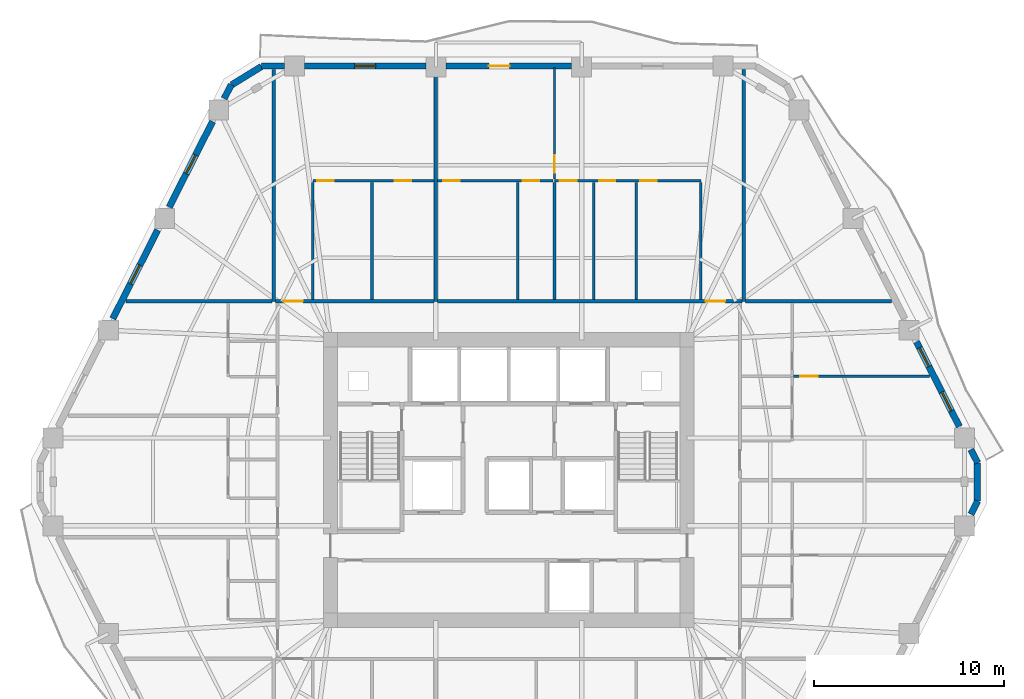
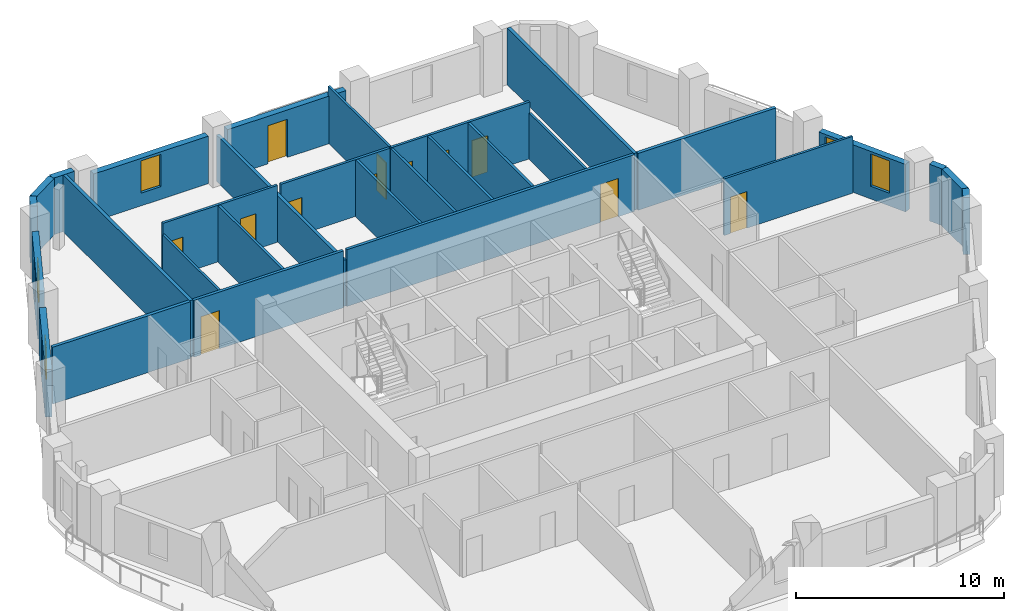
# One storey, part 7 of 11: 30 walls, 12 doors, 5 windows, 17 openings.
"""IFC4 building model written with IfcOpenShell, lengths in metres."""

from ifc_helpers import new_model, si_unit, direction, frame, frame_2d, origin, place, context, subcontext, project, spatial, rectangle, extrude, material, layer, layer_set, type_object, element, fill, save


model = new_model("IFC4")

# Units and contexts
model_context = context("Model", 3, precision=1e-05, world=origin(), true_north=direction((0.0, 1.0)))
body_context = subcontext(model_context, "Body", "Model", "MODEL_VIEW")
ifc_project = project(units=[si_unit("LENGTHUNIT", "METRE"), si_unit("AREAUNIT", "SQUARE_METRE"), si_unit("VOLUMEUNIT", "CUBIC_METRE"), si_unit("PLANEANGLEUNIT", "RADIAN"), si_unit("MASSUNIT", "GRAM", prefix="KILO")], contexts=[model_context])

# Site, building, storey
site_placement = place(None, origin())
site = spatial("IfcSite", under=ifc_project, at=site_placement, CompositionType="ELEMENT")
building_placement = place(site_placement, origin())
building = spatial("IfcBuilding", under=site, at=building_placement, Name="Cinnabar Lancet Tower", CompositionType="ELEMENT")
storey_placement = place(building_placement, frame((0.0, 0.0, 133.89990234375)))
storey = spatial("IfcBuildingStorey", under=building, at=storey_placement, Name="L35", CompositionType="ELEMENT", Elevation=133.89990234375)

# Wall, opening, door
ifc_material_1 = material(Name="Acoustic twin-stud gypsum partition", Category="gypsum")
ifc_layer_1 = layer(ifc_material_1, 0.159912109375)
ifc_layer_set_1 = layer_set([ifc_layer_1], Name="Acoustic twin-stud gypsum partition")
wall_type_1 = type_object("IfcWallType", Name="ARC-WL-CORR-160", PredefinedType="PARTITIONING", material=ifc_layer_set_1)
wall_1_placement = place(storey_placement, frame((20.14501953125, 35.300048828125, 0.0), z_axis=(0.0, 0.0, 1.0), x_axis=(1.0, 0.0, 0.0)))
wall_1 = element("IfcWall", 1, at=wall_1_placement, inside=storey, type_object=wall_type_1, Name="L35 Unit N01 Corridor Wall", PredefinedType="PARTITIONING", context=body_context, shape_type="SweptSolid", body=[
    extrude(rectangle(XDim=8.327880859375, YDim=0.159912109375, at=frame_2d((4.1640625, 0.0))), origin(), (0.0, 0.0, 1.0), 3.340087890625),
])
opening_1_placement = place(wall_1_placement, frame((0.405029296875, 0.0, 0.0)))
opening_1 = element("IfcOpeningElement", 2, at=opening_1_placement, cuts=wall_1, Name="Opening UD-01", PredefinedType="OPENING", context=body_context, shape_type="SweptSolid", body=[
    extrude(rectangle(XDim=1.02001953125, YDim=2.25, at=frame_2d((0.510009765625, 1.125))), frame((0.0, 0.08984375, 0.0), z_axis=(0.0, -1.0, 0.0), x_axis=(1.0, 0.0, 0.0)), (0.0, 0.0, 1.0), 0.179931640625),
])
ifc_material_2 = material(Name="Solid timber fire-rated apartment entrance door", Category="wood")
door_type_1 = type_object("IfcDoorType", Name="ARC-DR-UNIT", OperationType="NOTDEFINED", PredefinedType="DOOR", material=ifc_material_2)
door_1_placement = place(opening_1_placement, origin())
door_1 = element("IfcDoor", 3, at=door_1_placement, inside=storey, type_object=door_type_1, Name="DR-L35-N01-ENT", OperationType="SINGLE_SWING_RIGHT", OverallHeight=2.25, OverallWidth=1.02001953125, PredefinedType="DOOR", context=body_context, shape_type="SweptSolid", body=[
    extrude(rectangle(XDim=1.02001953125, YDim=2.25, at=frame_2d((0.510009765625, 1.125))), frame((0.0, 0.02490234375, 0.0), z_axis=(0.0, -1.0, 0.0), x_axis=(1.0, 0.0, 0.0)), (0.0, 0.0, 1.0), 0.050048828125),
])
fill(opening_1, door_1)

wall_2_placement = place(storey_placement, frame((28.6630859375, 35.300048828125, 0.0), z_axis=(0.0, 0.0, 1.0), x_axis=(1.0, 0.0, 0.0)))
wall_2 = element("IfcWall", 4, at=wall_2_placement, inside=storey, type_object=wall_type_1, Name="L35 Unit N02 Corridor Wall", PredefinedType="PARTITIONING", context=body_context, shape_type="SweptSolid", body=[
    extrude(rectangle(XDim=15.991943359375, YDim=0.159912109375, at=frame_2d((7.99609375, 0.0))), origin(), (0.0, 0.0, 1.0), 3.340087890625),
])
opening_2_placement = place(wall_2_placement, frame((14.0869140625, 0.0, 0.0)))
opening_2 = element("IfcOpeningElement", 5, at=opening_2_placement, cuts=wall_2, Name="Opening UD-01", PredefinedType="OPENING", context=body_context, shape_type="SweptSolid", body=[
    extrude(rectangle(XDim=1.02001953125, YDim=2.25, at=frame_2d((0.510009765625, 1.125))), frame((0.0, 0.08984375, 0.0), z_axis=(0.0, -1.0, 0.0), x_axis=(1.0, 0.0, 0.0)), (0.0, 0.0, 1.0), 0.179931640625),
])
door_2_placement = place(opening_2_placement, origin())
door_2 = element("IfcDoor", 6, at=door_2_placement, inside=storey, type_object=door_type_1, Name="DR-L35-N02-ENT", OperationType="SINGLE_SWING_LEFT", OverallHeight=2.25, OverallWidth=1.02001953125, PredefinedType="DOOR", context=body_context, shape_type="SweptSolid", body=[
    extrude(rectangle(XDim=1.02001953125, YDim=2.25, at=frame_2d((0.510009765625, 1.125))), frame((0.0, 0.02490234375, 0.0), z_axis=(0.0, -1.0, 0.0), x_axis=(1.0, 0.0, 0.0)), (0.0, 0.0, 1.0), 0.050048828125),
])
fill(opening_2, door_2)

# Walls
ifc_material_3 = material(Name="Fire-rated twin-frame acoustic drywall", Category="gypsum")
ifc_layer_2 = layer(ifc_material_3, 0.179931640625)
ifc_layer_set_2 = layer_set([ifc_layer_2], Name="Fire-rated twin-frame acoustic drywall")
wall_type_2 = type_object("IfcWallType", Name="ARC-WL-PARTY-180", PredefinedType="PARTITIONING", material=ifc_layer_set_2)
wall_3_placement = place(storey_placement, frame((20.050048828125, 35.300048828125, 0.0), z_axis=(0.0, 0.0, 1.0), x_axis=(0.0, 1.0, 0.0)))
element("IfcWall", 7, at=wall_3_placement, inside=storey, type_object=wall_type_2, Name="PW-L35-NPTY-200", PredefinedType="PARTITIONING", context=body_context, shape_type="SweptSolid", body=[
    extrude(rectangle(XDim=12.195068359375, YDim=0.179931640625, at=frame_2d((6.09765625, 0.0))), origin(), (0.0, 0.0, 1.0), 3.340087890625),
])
wall_4_placement = place(storey_placement, frame((28.568115234375, 35.300048828125, 0.0), z_axis=(0.0, 0.0, 1.0), x_axis=(0.0, 1.0, 0.0)))
element("IfcWall", 8, at=wall_4_placement, inside=storey, type_object=wall_type_2, Name="PW-L35-NPTY-286", PredefinedType="PARTITIONING", context=body_context, shape_type="SweptSolid", body=[
    extrude(rectangle(XDim=12.195068359375, YDim=0.179931640625, at=frame_2d((6.09765625, 0.0))), origin(), (0.0, 0.0, 1.0), 2.72216796875),
])
wall_5_placement = place(storey_placement, frame((44.75, 35.300048828125, 0.0), z_axis=(0.0, 0.0, 1.0), x_axis=(0.0, 1.0, 0.0)))
element("IfcWall", 9, at=wall_5_placement, inside=storey, type_object=wall_type_2, Name="PW-L35-NPTY-448", PredefinedType="PARTITIONING", context=body_context, shape_type="SweptSolid", body=[
    extrude(rectangle(XDim=12.195068359375, YDim=0.179931640625, at=frame_2d((6.09765625, 0.0))), origin(), (0.0, 0.0, 1.0), 3.340087890625),
])
wall_6_placement = place(storey_placement, frame((12.285888671875, 35.300048828125, 0.0), z_axis=(0.0, 0.0, 1.0), x_axis=(1.0, 0.0, 0.0)))
element("IfcWall", 10, at=wall_6_placement, inside=storey, type_object=wall_type_2, Name="PW-L35-WNB", PredefinedType="PARTITIONING", context=body_context, shape_type="SweptSolid", body=[
    extrude(rectangle(XDim=7.669189453125, YDim=0.179931640625, at=frame_2d((3.83447265625, 0.0))), origin(), (0.0, 0.0, 1.0), 3.340087890625),
])
wall_7_placement = place(storey_placement, frame((44.844970703125, 35.300048828125, 0.0), z_axis=(0.0, 0.0, 1.0), x_axis=(1.0, 0.0, 0.0)))
element("IfcWall", 11, at=wall_7_placement, inside=storey, type_object=wall_type_2, Name="PW-L35-ENB", PredefinedType="PARTITIONING", context=body_context, shape_type="SweptSolid", body=[
    extrude(rectangle(XDim=7.6689453125, YDim=0.179931640625, at=frame_2d((3.83447265625, 0.0))), origin(), (0.0, 0.0, 1.0), 3.340087890625),
])
ifc_material_4 = material(Name="Gypsum plasterboard stud partition", Category="gypsum")
ifc_layer_3 = layer(ifc_material_4, 0.125)
ifc_layer_set_3 = layer_set([ifc_layer_3], Name="Gypsum plasterboard stud partition")
wall_type_3 = type_object("IfcWallType", Name="ARC-WL-UNIT-125", PredefinedType="PARTITIONING", material=ifc_layer_set_3)
for number, where, z_axis, x_axis, name in (
    (12, (22.10009765625, 35.385009765625, 0.0), (0.0, 0.0, 1.0), (0.0, 1.0, 0.0), "UW-L35-N01-FOYE"),
    (13, (42.5, 35.385009765625, 0.0), (0.0, 0.0, 1.0), (0.0, 1.0, 0.0), "UW-L35-N02-FOYW"),
):
    element("IfcWall", number, at=place(storey_placement, frame(where, z_axis=z_axis, x_axis=x_axis)), inside=storey, type_object=wall_type_3, Name=name, PredefinedType="PARTITIONING", context=body_context, shape_type="SweptSolid", body=[
        extrude(rectangle(XDim=6.15087890625, YDim=0.125, at=frame_2d((3.075439453125, 0.0))), origin(), (0.0, 0.0, 1.0), 2.72216796875),
    ])

# Wall, opening, door
wall_8_placement = place(storey_placement, frame((34.802978515625, 41.716064453125, 0.0), z_axis=(0.0, 0.0, 1.0), x_axis=(0.0, 1.0, 0.0)))
wall_8 = element("IfcWall", 14, at=wall_8_placement, inside=storey, type_object=wall_type_3, Name="UW-L35-N02-MBW", PredefinedType="PARTITIONING", context=body_context, shape_type="SweptSolid", body=[
    extrude(rectangle(XDim=5.868896484375, YDim=0.125, at=frame_2d((2.9345703125, 0.0))), origin(), (0.0, 0.0, 1.0), 3.340087890625),
])
opening_3_placement = place(wall_8_placement, frame((0.35009765625, 0.0, 0.0)))
opening_3 = element("IfcOpeningElement", 15, at=opening_3_placement, cuts=wall_8, Name="Opening RD-01", PredefinedType="OPENING", context=body_context, shape_type="SweptSolid", body=[
    extrude(rectangle(XDim=0.919921875, YDim=2.14990234375, at=frame_2d((0.4599609375, 1.074951171875))), frame((0.0, 0.072509765625, 0.0), z_axis=(0.0, -1.0, 0.0), x_axis=(1.0, 0.0, 0.0)), (0.0, 0.0, 1.0), 0.14501953125),
])
ifc_material_5 = material(Name="Engineered timber bedroom door", Category="wood")
door_type_2 = type_object("IfcDoorType", Name="ARC-DR-ROOM", OperationType="NOTDEFINED", PredefinedType="DOOR", material=ifc_material_5)
door_3_placement = place(opening_3_placement, origin())
door_3 = element("IfcDoor", 16, at=door_3_placement, inside=storey, type_object=door_type_2, Name="DR-L35-N02-MBD", OperationType="SINGLE_SWING_RIGHT", OverallHeight=2.14990234375, OverallWidth=0.919921875, PredefinedType="DOOR", context=body_context, shape_type="SweptSolid", body=[
    extrude(rectangle(XDim=0.919921875, YDim=2.14990234375, at=frame_2d((0.4599609375, 1.074951171875))), frame((0.0, 0.02490234375, 0.0), z_axis=(0.0, -1.0, 0.0), x_axis=(1.0, 0.0, 0.0)), (0.0, 0.0, 1.0), 0.050048828125),
])
fill(opening_3, door_3)

wall_9_placement = place(storey_placement, frame((47.375, 31.35205078125, 0.0), z_axis=(0.0, 0.0, 1.0), x_axis=(1.0, 0.0, 0.0)))
wall_9 = element("IfcWall", 17, at=wall_9_placement, inside=storey, type_object=wall_type_3, Name="UW-L35-E02-MBN", PredefinedType="PARTITIONING", context=body_context, shape_type="SweptSolid", body=[
    extrude(rectangle(XDim=7.152099609375, YDim=0.125, at=frame_2d((3.576171875, 0.0))), origin(), (0.0, 0.0, 1.0), 3.340087890625),
])
opening_4_placement = place(wall_9_placement, frame((0.35009765625, 0.0, 0.0)))
opening_4 = element("IfcOpeningElement", 18, at=opening_4_placement, cuts=wall_9, Name="Opening RD-01", PredefinedType="OPENING", context=body_context, shape_type="SweptSolid", body=[
    extrude(rectangle(XDim=0.919921875, YDim=2.14990234375, at=frame_2d((0.4599609375, 1.074951171875))), frame((0.0, 0.072509765625, 0.0), z_axis=(0.0, -1.0, 0.0), x_axis=(1.0, 0.0, 0.0)), (0.0, 0.0, 1.0), 0.14501953125),
])
door_4_placement = place(opening_4_placement, origin())
door_4 = element("IfcDoor", 19, at=door_4_placement, inside=storey, type_object=door_type_2, Name="DR-L35-E02-MBD", OperationType="SINGLE_SWING_LEFT", OverallHeight=2.14990234375, OverallWidth=0.919921875, PredefinedType="DOOR", context=body_context, shape_type="SweptSolid", body=[
    extrude(rectangle(XDim=0.919921875, YDim=2.14990234375, at=frame_2d((0.4599609375, 1.074951171875))), frame((0.0, 0.02490234375, 0.0), z_axis=(0.0, -1.0, 0.0), x_axis=(1.0, 0.0, 0.0)), (0.0, 0.0, 1.0), 0.050048828125),
])
fill(opening_4, door_4)

# Wall, openings, doors
ifc_material_6 = material(Name="Moisture-resistant cement-board plumbing wall", Category="masonry")
ifc_layer_4 = layer(ifc_material_6, 0.139892578125)
ifc_layer_set_4 = layer_set([ifc_layer_4], Name="Moisture-resistant cement-board plumbing wall")
wall_type_4 = type_object("IfcWallType", Name="ARC-WL-WET-140", PredefinedType="PLUMBINGWALL", material=ifc_layer_set_4)
wall_10_placement = place(storey_placement, frame((22.10009765625, 41.64111328125, 0.0), z_axis=(0.0, 0.0, 1.0), x_axis=(1.0, 0.0, 0.0)))
wall_10 = element("IfcWall", 20, at=wall_10_placement, inside=storey, type_object=wall_type_4, Name="UW-L35-N01-SPL", PredefinedType="PLUMBINGWALL", context=body_context, shape_type="SweptSolid", body=[
    extrude(rectangle(XDim=6.372802734375, YDim=0.139892578125, at=frame_2d((3.1865234375, 0.0))), origin(), (0.0, 0.0, 1.0), 3.340087890625),
])
opening_5_placement = place(wall_10_placement, frame((4.31396484375, 0.0, 0.0)))
opening_5 = element("IfcOpeningElement", 21, at=opening_5_placement, cuts=wall_10, Name="Opening BD-01", PredefinedType="OPENING", context=body_context, shape_type="SweptSolid", body=[
    extrude(rectangle(XDim=0.860107421875, YDim=2.10009765625, at=frame_2d((0.43017578125, 1.050048828125))), frame((0.0, 0.079833984375, 0.0), z_axis=(0.0, -1.0, 0.0), x_axis=(1.0, 0.0, 0.0)), (0.0, 0.0, 1.0), 0.159912109375),
])
opening_6_placement = place(wall_10_placement, frame((0.219970703125, 0.0, 0.0)))
opening_6 = element("IfcOpeningElement", 22, at=opening_6_placement, cuts=wall_10, Name="Opening RD-02", PredefinedType="OPENING", context=body_context, shape_type="SweptSolid", body=[
    extrude(rectangle(XDim=0.8798828125, YDim=2.14990234375, at=frame_2d((0.43994140625, 1.074951171875))), frame((0.0, 0.079833984375, 0.0), z_axis=(0.0, -1.0, 0.0), x_axis=(1.0, 0.0, 0.0)), (0.0, 0.0, 1.0), 0.159912109375),
])
ifc_material_7 = material(Name="Moisture-resistant timber bathroom door", Category="wood")
door_type_3 = type_object("IfcDoorType", Name="ARC-DR-BATH", OperationType="NOTDEFINED", PredefinedType="DOOR", material=ifc_material_7)
door_5_placement = place(opening_5_placement, origin())
door_5 = element("IfcDoor", 23, at=door_5_placement, inside=storey, type_object=door_type_3, Name="DR-L35-N01-BTH", OperationType="SINGLE_SWING_RIGHT", OverallHeight=2.10009765625, OverallWidth=0.860107421875, PredefinedType="DOOR", context=body_context, shape_type="SweptSolid", body=[
    extrude(rectangle(XDim=0.860107421875, YDim=2.10009765625, at=frame_2d((0.43017578125, 1.050048828125))), frame((0.0, 0.02490234375, 0.0), z_axis=(0.0, -1.0, 0.0), x_axis=(1.0, 0.0, 0.0)), (0.0, 0.0, 1.0), 0.050048828125),
])
fill(opening_5, door_5)
ifc_material_8 = material(Name="Engineered timber study door", Category="wood")
door_type_4 = type_object("IfcDoorType", Name="ARC-DR-STUDY", OperationType="NOTDEFINED", PredefinedType="DOOR", material=ifc_material_8)
door_6_placement = place(opening_6_placement, origin())
door_6 = element("IfcDoor", 24, at=door_6_placement, inside=storey, type_object=door_type_4, Name="DR-L35-N01-KIT", OperationType="SINGLE_SWING_LEFT", OverallHeight=2.14990234375, OverallWidth=0.8798828125, PredefinedType="DOOR", context=body_context, shape_type="SweptSolid", body=[
    extrude(rectangle(XDim=0.8798828125, YDim=2.14990234375, at=frame_2d((0.43994140625, 1.074951171875))), frame((0.0, 0.02490234375, 0.0), z_axis=(0.0, -1.0, 0.0), x_axis=(1.0, 0.0, 0.0)), (0.0, 0.0, 1.0), 0.050048828125),
])
fill(opening_6, door_6)

# Wall
wall_11_placement = place(storey_placement, frame((25.205078125, 35.385009765625, 0.0), z_axis=(0.0, 0.0, 1.0), x_axis=(0.0, 1.0, 0.0)))
element("IfcWall", 25, at=wall_11_placement, inside=storey, type_object=wall_type_4, Name="UW-L35-N01-KDV", PredefinedType="PLUMBINGWALL", context=body_context, shape_type="SweptSolid", body=[
    extrude(rectangle(XDim=6.15087890625, YDim=0.139892578125, at=frame_2d((3.075439453125, 0.0))), origin(), (0.0, 0.0, 1.0), 3.340087890625),
])

# Wall, openings, doors
wall_12_placement = place(storey_placement, frame((34.802978515625, 41.64111328125, 0.0), z_axis=(0.0, 0.0, 1.0), x_axis=(1.0, 0.0, 0.0)))
wall_12 = element("IfcWall", 26, at=wall_12_placement, inside=storey, type_object=wall_type_4, Name="UW-L35-N02-SPL", PredefinedType="PLUMBINGWALL", context=body_context, shape_type="SweptSolid", body=[
    extrude(rectangle(XDim=7.697021484375, YDim=0.139892578125, at=frame_2d((3.8486328125, 0.0))), origin(), (0.0, 0.0, 1.0), 3.340087890625),
])
opening_7_placement = place(wall_12_placement, frame((0.280029296875, 0.0, 0.0)))
opening_7 = element("IfcOpeningElement", 27, at=opening_7_placement, cuts=wall_12, Name="Opening RD-02", PredefinedType="OPENING", context=body_context, shape_type="SweptSolid", body=[
    extrude(rectangle(XDim=0.8798828125, YDim=2.14990234375, at=frame_2d((0.43994140625, 1.074951171875))), frame((0.0, 0.079833984375, 0.0), z_axis=(0.0, -1.0, 0.0), x_axis=(1.0, 0.0, 0.0)), (0.0, 0.0, 1.0), 0.159912109375),
])
opening_8_placement = place(wall_12_placement, frame((2.343994140625, 0.0, 0.0)))
opening_8 = element("IfcOpeningElement", 28, at=opening_8_placement, cuts=wall_12, Name="Opening BD-01", PredefinedType="OPENING", context=body_context, shape_type="SweptSolid", body=[
    extrude(rectangle(XDim=0.860107421875, YDim=2.10009765625, at=frame_2d((0.43017578125, 1.050048828125))), frame((0.0, 0.079833984375, 0.0), z_axis=(0.0, -1.0, 0.0), x_axis=(1.0, 0.0, 0.0)), (0.0, 0.0, 1.0), 0.159912109375),
])
opening_9_placement = place(wall_12_placement, frame((4.4970703125, 0.0, 0.0)))
opening_9 = element("IfcOpeningElement", 29, at=opening_9_placement, cuts=wall_12, Name="Opening RD-02", PredefinedType="OPENING", context=body_context, shape_type="SweptSolid", body=[
    extrude(rectangle(XDim=0.8798828125, YDim=2.14990234375, at=frame_2d((0.43994140625, 1.074951171875))), frame((0.0, 0.079833984375, 0.0), z_axis=(0.0, -1.0, 0.0), x_axis=(1.0, 0.0, 0.0)), (0.0, 0.0, 1.0), 0.159912109375),
])
door_7_placement = place(opening_8_placement, origin())
door_7 = element("IfcDoor", 30, at=door_7_placement, inside=storey, type_object=door_type_3, Name="DR-L35-N02-BTH", OperationType="SINGLE_SWING_LEFT", OverallHeight=2.10009765625, OverallWidth=0.860107421875, PredefinedType="DOOR", context=body_context, shape_type="SweptSolid", body=[
    extrude(rectangle(XDim=0.860107421875, YDim=2.10009765625, at=frame_2d((0.43017578125, 1.050048828125))), frame((0.0, 0.02490234375, 0.0), z_axis=(0.0, -1.0, 0.0), x_axis=(1.0, 0.0, 0.0)), (0.0, 0.0, 1.0), 0.050048828125),
])
fill(opening_8, door_7)
door_8_placement = place(opening_7_placement, origin())
door_8 = element("IfcDoor", 31, at=door_8_placement, inside=storey, type_object=door_type_4, Name="DR-L35-N02-BTH-WDR", OperationType="SINGLE_SWING_RIGHT", OverallHeight=2.14990234375, OverallWidth=0.8798828125, PredefinedType="DOOR", context=body_context, shape_type="SweptSolid", body=[
    extrude(rectangle(XDim=0.8798828125, YDim=2.14990234375, at=frame_2d((0.43994140625, 1.074951171875))), frame((0.0, 0.02490234375, 0.0), z_axis=(0.0, -1.0, 0.0), x_axis=(1.0, 0.0, 0.0)), (0.0, 0.0, 1.0), 0.050048828125),
])
fill(opening_7, door_8)
door_9_placement = place(opening_9_placement, origin())
door_9 = element("IfcDoor", 32, at=door_9_placement, inside=storey, type_object=door_type_4, Name="DR-L35-N02-KIT", OperationType="SINGLE_SWING_LEFT", OverallHeight=2.14990234375, OverallWidth=0.8798828125, PredefinedType="DOOR", context=body_context, shape_type="SweptSolid", body=[
    extrude(rectangle(XDim=0.8798828125, YDim=2.14990234375, at=frame_2d((0.43994140625, 1.074951171875))), frame((0.0, 0.02490234375, 0.0), z_axis=(0.0, -1.0, 0.0), x_axis=(1.0, 0.0, 0.0)), (0.0, 0.0, 1.0), 0.050048828125),
])
fill(opening_9, door_9)

wall_13_placement = place(storey_placement, frame((28.6630859375, 41.64111328125, 0.0), z_axis=(0.0, 0.0, 1.0), x_axis=(1.0, 0.0, 0.0)))
wall_13 = element("IfcWall", 33, at=wall_13_placement, inside=storey, type_object=wall_type_4, Name="UW-L35-N02-SPM", PredefinedType="PLUMBINGWALL", context=body_context, shape_type="SweptSolid", body=[
    extrude(rectangle(XDim=6.06494140625, YDim=0.139892578125, at=frame_2d((3.032470703125, 0.0))), origin(), (0.0, 0.0, 1.0), 3.340087890625),
])
opening_10_placement = place(wall_13_placement, frame((0.280029296875, 0.0, 0.0)))
opening_10 = element("IfcOpeningElement", 34, at=opening_10_placement, cuts=wall_13, Name="Opening RD-02", PredefinedType="OPENING", context=body_context, shape_type="SweptSolid", body=[
    extrude(rectangle(XDim=0.8798828125, YDim=2.14990234375, at=frame_2d((0.43994140625, 1.074951171875))), frame((0.0, 0.079833984375, 0.0), z_axis=(0.0, -1.0, 0.0), x_axis=(1.0, 0.0, 0.0)), (0.0, 0.0, 1.0), 0.159912109375),
])
opening_11_placement = place(wall_13_placement, frame((4.48388671875, 0.0, 0.0)))
opening_11 = element("IfcOpeningElement", 35, at=opening_11_placement, cuts=wall_13, Name="Opening BD-01", PredefinedType="OPENING", context=body_context, shape_type="SweptSolid", body=[
    extrude(rectangle(XDim=0.860107421875, YDim=2.10009765625, at=frame_2d((0.43017578125, 1.050048828125))), frame((0.0, 0.079833984375, 0.0), z_axis=(0.0, -1.0, 0.0), x_axis=(1.0, 0.0, 0.0)), (0.0, 0.0, 1.0), 0.159912109375),
])
door_10_placement = place(opening_11_placement, origin())
door_10 = element("IfcDoor", 36, at=door_10_placement, inside=storey, type_object=door_type_3, Name="DR-L35-N02-ENS", OperationType="SINGLE_SWING_RIGHT", OverallHeight=2.10009765625, OverallWidth=0.860107421875, PredefinedType="DOOR", context=body_context, shape_type="SweptSolid", body=[
    extrude(rectangle(XDim=0.860107421875, YDim=2.10009765625, at=frame_2d((0.43017578125, 1.050048828125))), frame((0.0, 0.02490234375, 0.0), z_axis=(0.0, -1.0, 0.0), x_axis=(1.0, 0.0, 0.0)), (0.0, 0.0, 1.0), 0.050048828125),
])
fill(opening_11, door_10)
door_11_placement = place(opening_10_placement, origin())
door_11 = element("IfcDoor", 37, at=door_11_placement, inside=storey, type_object=door_type_4, Name="DR-L35-N02-ENS-WDR", OperationType="SINGLE_SWING_LEFT", OverallHeight=2.14990234375, OverallWidth=0.8798828125, PredefinedType="DOOR", context=body_context, shape_type="SweptSolid", body=[
    extrude(rectangle(XDim=0.8798828125, YDim=2.14990234375, at=frame_2d((0.43994140625, 1.074951171875))), frame((0.0, 0.02490234375, 0.0), z_axis=(0.0, -1.0, 0.0), x_axis=(1.0, 0.0, 0.0)), (0.0, 0.0, 1.0), 0.050048828125),
])
fill(opening_10, door_11)

# Walls
for number, where, z_axis, x_axis, name in (
    (38, (39.10009765625, 35.385009765625, 0.0), (0.0, 0.0, 1.0), (0.0, 1.0, 0.0), "UW-L35-N02-KBD"),
    (39, (34.802978515625, 35.385009765625, 0.0), (0.0, 0.0, 1.0), (0.0, 1.0, 0.0), "UW-L35-N02-ENSW"),
):
    element("IfcWall", number, at=place(storey_placement, frame(where, z_axis=z_axis, x_axis=x_axis)), inside=storey, type_object=wall_type_4, Name=name, PredefinedType="PLUMBINGWALL", context=body_context, shape_type="SweptSolid", body=[
        extrude(rectangle(XDim=6.15087890625, YDim=0.139892578125, at=frame_2d((3.075439453125, 0.0))), origin(), (0.0, 0.0, 1.0), 3.340087890625),
    ])
for number, where, z_axis, x_axis, name in (
    (40, (36.866943359375, 35.385009765625, 0.0), (0.0, 0.0, 1.0), (0.0, 1.0, 0.0), "UW-L35-N02-BTH-WDV"),
    (41, (32.866943359375, 35.385009765625, 0.0), (0.0, 0.0, 1.0), (0.0, 1.0, 0.0), "UW-L35-N02-ENS-WDV"),
):
    element("IfcWall", number, at=place(storey_placement, frame(where, z_axis=z_axis, x_axis=x_axis)), inside=storey, type_object=wall_type_4, Name=name, PredefinedType="PLUMBINGWALL", context=body_context, shape_type="SweptSolid", body=[
        extrude(rectangle(XDim=6.1708984375, YDim=0.139892578125, at=frame_2d((3.08544921875, 0.0))), origin(), (0.0, 0.0, 1.0), 3.340087890625),
    ])
ifc_material_9 = material(Name="Cinnabar red clay brick", Category="masonry")
ifc_layer_5 = layer(ifc_material_9, 0.340087890625)
ifc_layer_set_5 = layer_set([ifc_layer_5], Name="Cinnabar red clay brick")
wall_type_5 = type_object("IfcWallType", Name="ENV-WL-BRK-RED-340", PredefinedType="STANDARD", material=ifc_layer_set_5)
wall_14_placement = place(storey_placement, frame((57.032958984375, 24.802978515625, 0.0), z_axis=(0.0, 0.0, 1.0), x_axis=(0.0, 1.0, 0.0)))
element("IfcWall", 42, at=wall_14_placement, inside=storey, type_object=wall_type_5, Name="L35 Chamfered Corner Brick Pier 3.1", PredefinedType="STANDARD", context=body_context, shape_type="SweptSolid", body=[
    extrude(rectangle(XDim=1.994140625, YDim=0.340087890625, at=frame_2d((0.9970703125, 0.0))), origin(), (0.0, 0.0, 1.0), 3.340087890625),
])
wall_15_placement = place(storey_placement, frame((19.403076171875, 47.64501953125, 0.0), z_axis=(0.0, 0.0, 1.0), x_axis=(-0.851798915137, -0.523868884523, 0.0)))
element("IfcWall", 43, at=wall_15_placement, inside=storey, type_object=wall_type_5, Name="L35 Chamfered Corner Brick Pier 5.1", PredefinedType="STANDARD", context=body_context, shape_type="SweptSolid", body=[
    extrude(rectangle(XDim=1.847900390625, YDim=0.340087890625, at=frame_2d((0.923828125, 0.0))), origin(), (0.0, 0.0, 1.0), 3.340087890625),
])
for number, where, z_axis, x_axis, name in (
    (44, (56.699951171875, 24.096923828125, 0.0), (0.0, 0.0, 1.0), (0.451819324107, 0.89210946546, 0.0), "L35 Face 2 Masonry Bay Wall 5"),
    (45, (57.053955078125, 26.803955078125, 0.0), (0.0, 0.0, 1.0), (-0.451819324107, 0.89210946546, 0.0), "L35 Face 3 Masonry Bay Wall 1"),
):
    element("IfcWall", number, at=place(storey_placement, frame(where, z_axis=z_axis, x_axis=x_axis)), inside=storey, type_object=wall_type_5, Name=name, PredefinedType="STANDARD", context=body_context, shape_type="SweptSolid", body=[
        extrude(rectangle(XDim=0.783447265625, YDim=0.340087890625, at=frame_2d((0.3916015625, 0.0))), origin(), (0.0, 0.0, 1.0), 3.340087890625),
    ])

# Wall, openings, windows
wall_16_placement = place(storey_placement, frame((56.0869140625, 28.715087890625, 0.0), z_axis=(0.0, 0.0, 1.0), x_axis=(-0.451431617681, 0.892305718102, 0.0)))
wall_16 = element("IfcWall", 46, at=wall_16_placement, inside=storey, type_object=wall_type_5, Name="L35 Face 3 Masonry Bay Wall 2", PredefinedType="STANDARD", context=body_context, shape_type="SweptSolid", body=[
    extrude(rectangle(XDim=4.994873046875, YDim=0.340087890625, at=frame_2d((2.49755859375, 0.0))), origin(), (0.0, 0.0, 1.0), 2.797119140625),
])
opening_12_placement = place(wall_16_placement, frame((0.9189453125, 0.0, 0.75)))
opening_12 = element("IfcOpeningElement", 47, at=opening_12_placement, cuts=wall_16, Name="Opening WN-04", PredefinedType="OPENING", context=body_context, shape_type="SweptSolid", body=[
    extrude(rectangle(XDim=1.10009765625, YDim=1.89697265625, at=frame_2d((0.550048828125, 0.948486328125))), frame((0.0, 0.179931640625, 0.0), z_axis=(0.0, -1.0, 0.0), x_axis=(1.0, 0.0, 0.0)), (0.0, 0.0, 1.0), 0.360107421875),
])
opening_13_placement = place(wall_16_placement, frame((3.535888671875, 0.0, 0.75)))
opening_13 = element("IfcOpeningElement", 48, at=opening_13_placement, cuts=wall_16, Name="Opening WN-04", PredefinedType="OPENING", context=body_context, shape_type="SweptSolid", body=[
    extrude(rectangle(XDim=1.10009765625, YDim=1.89697265625, at=frame_2d((0.550048828125, 0.948486328125))), frame((0.0, 0.179931640625, 0.0), z_axis=(0.0, -1.0, 0.0), x_axis=(1.0, 0.0, 0.0)), (0.0, 0.0, 1.0), 0.360107421875),
])
ifc_material_10 = material(Name="Thermally broken bronze-anodized aluminium tall lancet window", Category="aluminium")
window_type = type_object("IfcWindowType", Name="ENV-WN-LANCET-1100", PartitioningType="SINGLE_PANEL", PredefinedType="WINDOW", material=ifc_material_10)
window_1_placement = place(opening_12_placement, origin())
window_1 = element("IfcWindow", 49, at=window_1_placement, inside=storey, type_object=window_type, Name="L35 Face 3 Gothic Lancet Window 2", OverallHeight=1.89697265625, OverallWidth=1.10009765625, PartitioningType="SINGLE_PANEL", PredefinedType="WINDOW", context=body_context, shape_type="SweptSolid", body=[
    extrude(rectangle(XDim=1.10009765625, YDim=1.89697265625, at=frame_2d((0.550048828125, 0.948486328125))), frame((0.0, 0.030029296875, 0.0), z_axis=(0.0, -1.0, 0.0), x_axis=(1.0, 0.0, 0.0)), (0.0, 0.0, 1.0), 0.06005859375),
])
fill(opening_12, window_1)
window_2_placement = place(opening_13_placement, origin())
window_2 = element("IfcWindow", 50, at=window_2_placement, inside=storey, type_object=window_type, Name="L35 Split-Bay Gothic Lancet Window 103", OverallHeight=1.89697265625, OverallWidth=1.10009765625, PartitioningType="SINGLE_PANEL", PredefinedType="WINDOW", context=body_context, shape_type="SweptSolid", body=[
    extrude(rectangle(XDim=1.10009765625, YDim=1.89697265625, at=frame_2d((0.550048828125, 0.948486328125))), frame((0.0, 0.030029296875, 0.0), z_axis=(0.0, -1.0, 0.0), x_axis=(1.0, 0.0, 0.0)), (0.0, 0.0, 1.0), 0.06005859375),
])
fill(opening_13, window_2)

# Wall, opening, door
wall_17_placement = place(storey_placement, frame((35.702880859375, 47.669921875, 0.0), z_axis=(0.0, 0.0, 1.0), x_axis=(-1.0, 0.0, 0.0)))
wall_17 = element("IfcWall", 51, at=wall_17_placement, inside=storey, type_object=wall_type_5, Name="L35 Face 4 Masonry Bay Wall 3", PredefinedType="STANDARD", context=body_context, shape_type="SweptSolid", body=[
    extrude(rectangle(XDim=6.60595703125, YDim=0.340087890625, at=frame_2d((3.302978515625, 0.0))), origin(), (0.0, 0.0, 1.0), 2.797119140625),
])
opening_14_placement = place(wall_17_placement, frame((3.25390625, 0.0, 0.0)))
opening_14 = element("IfcOpeningElement", 52, at=opening_14_placement, cuts=wall_17, Name="Opening TD-01", PredefinedType="OPENING", context=body_context, shape_type="SweptSolid", body=[
    extrude(rectangle(XDim=1.10009765625, YDim=2.25, at=frame_2d((0.550048828125, 1.125))), frame((0.0, 0.179931640625, 0.0), z_axis=(0.0, -1.0, 0.0), x_axis=(1.0, 0.0, 0.0)), (0.0, 0.0, 1.0), 0.360107421875),
])
ifc_material_11 = material(Name="Thermally broken low-E glazed balcony terrace door", Category="wood")
door_type_5 = type_object("IfcDoorType", Name="ARC-DR-BALC", OperationType="NOTDEFINED", PredefinedType="DOOR", material=ifc_material_11)
door_12_placement = place(opening_14_placement, origin())
door_12 = element("IfcDoor", 53, at=door_12_placement, inside=storey, type_object=door_type_5, Name="L35 Face 4 Glazed Terrace Door", OperationType="SINGLE_SWING_LEFT", OverallHeight=2.25, OverallWidth=1.10009765625, PredefinedType="DOOR", context=body_context, shape_type="SweptSolid", body=[
    extrude(rectangle(XDim=1.10009765625, YDim=2.25, at=frame_2d((0.550048828125, 1.125))), frame((0.0, 0.02490234375, 0.0), z_axis=(0.0, -1.0, 0.0), x_axis=(1.0, 0.0, 0.0)), (0.0, 0.0, 1.0), 0.050048828125),
])
fill(opening_14, door_12)

# Wall, opening, window
wall_18_placement = place(storey_placement, frame((28.0390625, 47.669921875, 0.0), z_axis=(0.0, 0.0, 1.0), x_axis=(-1.0, 0.0, 0.0)))
wall_18 = element("IfcWall", 54, at=wall_18_placement, inside=storey, type_object=wall_type_5, Name="L35 Face 4 Masonry Bay Wall 4", PredefinedType="STANDARD", context=body_context, shape_type="SweptSolid", body=[
    extrude(rectangle(XDim=6.379150390625, YDim=0.340087890625, at=frame_2d((3.189453125, 0.0))), origin(), (0.0, 0.0, 1.0), 2.797119140625),
])
opening_15_placement = place(wall_18_placement, frame((2.639892578125, 0.0, 0.75)))
opening_15 = element("IfcOpeningElement", 55, at=opening_15_placement, cuts=wall_18, Name="Opening WN-04", PredefinedType="OPENING", context=body_context, shape_type="SweptSolid", body=[
    extrude(rectangle(XDim=1.10009765625, YDim=1.89697265625, at=frame_2d((0.550048828125, 0.948486328125))), frame((0.0, 0.179931640625, 0.0), z_axis=(0.0, -1.0, 0.0), x_axis=(1.0, 0.0, 0.0)), (0.0, 0.0, 1.0), 0.360107421875),
])
window_3_placement = place(opening_15_placement, origin())
window_3 = element("IfcWindow", 56, at=window_3_placement, inside=storey, type_object=window_type, Name="L35 Face 4 Gothic Lancet Window 4", OverallHeight=1.89697265625, OverallWidth=1.10009765625, PartitioningType="SINGLE_PANEL", PredefinedType="WINDOW", context=body_context, shape_type="SweptSolid", body=[
    extrude(rectangle(XDim=1.10009765625, YDim=1.89697265625, at=frame_2d((0.550048828125, 0.948486328125))), frame((0.0, 0.030029296875, 0.0), z_axis=(0.0, -1.0, 0.0), x_axis=(1.0, 0.0, 0.0)), (0.0, 0.0, 1.0), 0.06005859375),
])
fill(opening_15, window_3)

# Walls
wall_19_placement = place(storey_placement, frame((20.60205078125, 47.669921875, 0.0), z_axis=(0.0, 0.0, 1.0), x_axis=(-1.0, 0.0, 0.0)))
element("IfcWall", 57, at=wall_19_placement, inside=storey, type_object=wall_type_5, Name="L35 Face 4 Masonry Bay Wall 5", PredefinedType="STANDARD", context=body_context, shape_type="SweptSolid", body=[
    extrude(rectangle(XDim=1.2041015625, YDim=0.340087890625, at=frame_2d((0.60205078125, 0.0))), origin(), (0.0, 0.0, 1.0), 3.340087890625),
])
wall_20_placement = place(storey_placement, frame((17.80908203125, 46.693115234375, 0.0), z_axis=(0.0, 0.0, 1.0), x_axis=(-0.45160540153, -0.89221777684, 0.0)))
element("IfcWall", 58, at=wall_20_placement, inside=storey, type_object=wall_type_5, Name="L35 Face 5 Masonry Bay Wall 1", PredefinedType="STANDARD", context=body_context, shape_type="SweptSolid", body=[
    extrude(rectangle(XDim=0.82177734375, YDim=0.340087890625, at=frame_2d((0.410888671875, 0.0))), origin(), (0.0, 0.0, 1.0), 3.340087890625),
])

# Wall, opening, window
wall_21_placement = place(storey_placement, frame((16.824951171875, 44.748046875, 0.0), z_axis=(0.0, 0.0, 1.0), x_axis=(-0.451548465867, -0.892246593142, 0.0)))
wall_21 = element("IfcWall", 59, at=wall_21_placement, inside=storey, type_object=wall_type_5, Name="L35 Face 5 Masonry Bay Wall 2", PredefinedType="STANDARD", context=body_context, shape_type="SweptSolid", body=[
    extrude(rectangle(XDim=5.040283203125, YDim=0.340087890625, at=frame_2d((2.52001953125, 0.0))), origin(), (0.0, 0.0, 1.0), 2.797119140625),
])
opening_16_placement = place(wall_21_placement, frame((1.969970703125, 0.0, 0.75)))
opening_16 = element("IfcOpeningElement", 60, at=opening_16_placement, cuts=wall_21, Name="Opening WN-04", PredefinedType="OPENING", context=body_context, shape_type="SweptSolid", body=[
    extrude(rectangle(XDim=1.10009765625, YDim=1.89697265625, at=frame_2d((0.550048828125, 0.948486328125))), frame((0.0, 0.179931640625, 0.0), z_axis=(0.0, -1.0, 0.0), x_axis=(1.0, 0.0, 0.0)), (0.0, 0.0, 1.0), 0.360107421875),
])
window_4_placement = place(opening_16_placement, origin())
window_4 = element("IfcWindow", 61, at=window_4_placement, inside=storey, type_object=window_type, Name="L35 Face 5 Gothic Lancet Window 2", OverallHeight=1.89697265625, OverallWidth=1.10009765625, PartitioningType="SINGLE_PANEL", PredefinedType="WINDOW", context=body_context, shape_type="SweptSolid", body=[
    extrude(rectangle(XDim=1.10009765625, YDim=1.89697265625, at=frame_2d((0.550048828125, 0.948486328125))), frame((0.0, 0.030029296875, 0.0), z_axis=(0.0, -1.0, 0.0), x_axis=(1.0, 0.0, 0.0)), (0.0, 0.0, 1.0), 0.06005859375),
])
fill(opening_16, window_4)

wall_22_placement = place(storey_placement, frame((13.93701171875, 39.0390625, 0.0), z_axis=(0.0, 0.0, 1.0), x_axis=(-0.451567731634, -0.892236842855, 0.0)))
wall_22 = element("IfcWall", 62, at=wall_22_placement, inside=storey, type_object=wall_type_5, Name="L35 Face 5 Masonry Bay Wall 3", PredefinedType="STANDARD", context=body_context, shape_type="SweptSolid", body=[
    extrude(rectangle(XDim=5.219482421875, YDim=0.340087890625, at=frame_2d((2.60986328125, 0.0))), origin(), (0.0, 0.0, 1.0), 2.797119140625),
])
opening_17_placement = place(wall_22_placement, frame((2.06005859375, 0.0, 0.75)))
opening_17 = element("IfcOpeningElement", 63, at=opening_17_placement, cuts=wall_22, Name="Opening WN-04", PredefinedType="OPENING", context=body_context, shape_type="SweptSolid", body=[
    extrude(rectangle(XDim=1.10009765625, YDim=1.89697265625, at=frame_2d((0.550048828125, 0.948486328125))), frame((0.0, 0.179931640625, 0.0), z_axis=(0.0, -1.0, 0.0), x_axis=(1.0, 0.0, 0.0)), (0.0, 0.0, 1.0), 0.360107421875),
])
window_5_placement = place(opening_17_placement, origin())
window_5 = element("IfcWindow", 64, at=window_5_placement, inside=storey, type_object=window_type, Name="L35 Face 5 Gothic Lancet Window 3", OverallHeight=1.89697265625, OverallWidth=1.10009765625, PartitioningType="SINGLE_PANEL", PredefinedType="WINDOW", context=body_context, shape_type="SweptSolid", body=[
    extrude(rectangle(XDim=1.10009765625, YDim=1.89697265625, at=frame_2d((0.550048828125, 0.948486328125))), frame((0.0, 0.030029296875, 0.0), z_axis=(0.0, -1.0, 0.0), x_axis=(1.0, 0.0, 0.0)), (0.0, 0.0, 1.0), 0.06005859375),
])
fill(opening_17, window_5)

save(model, "model.ifc")
